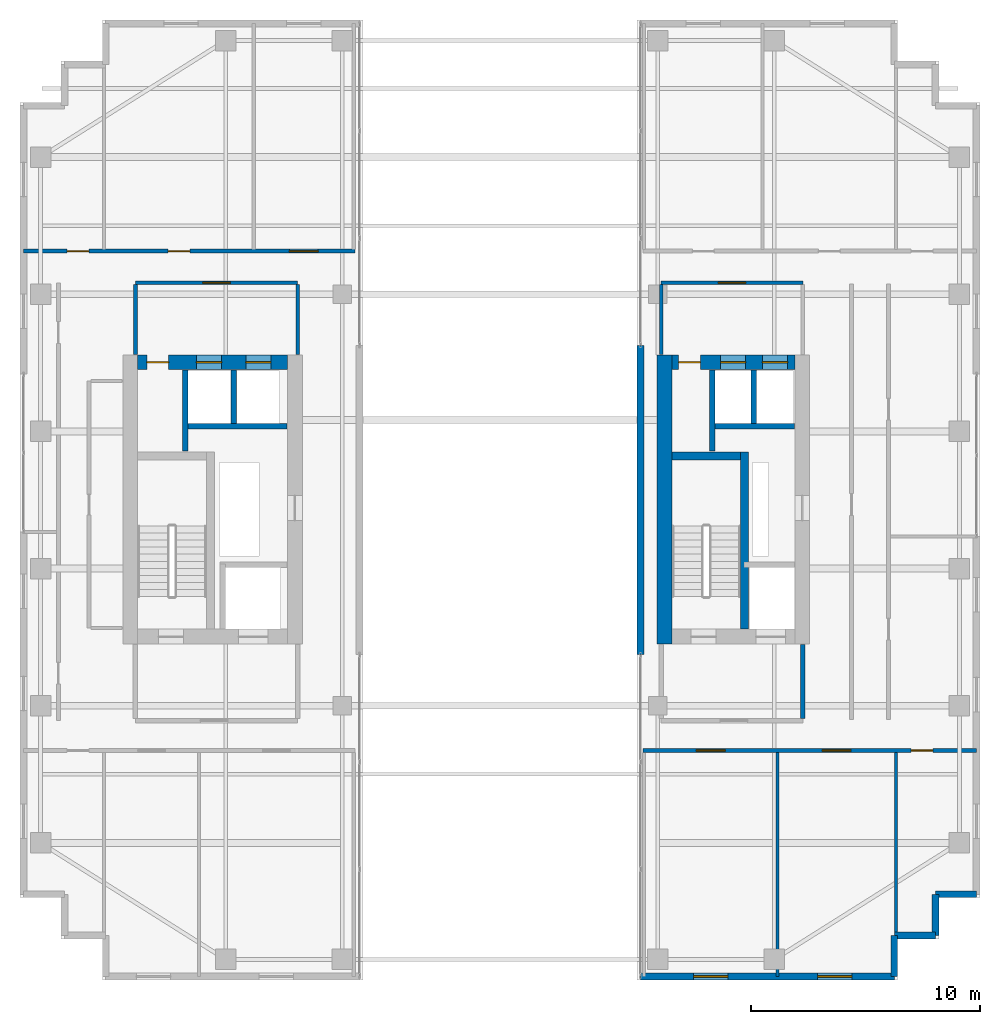
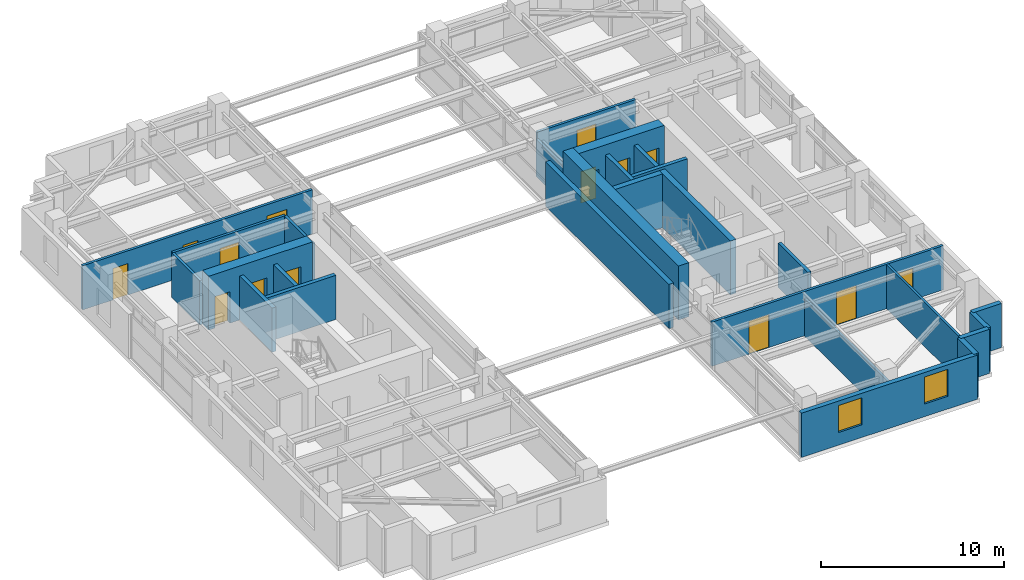
# One storey, part 18 of 21: 27 walls, 14 doors, 2 windows, 16 openings.
"""IFC4 building model written with IfcOpenShell, lengths in metres."""

from ifc_helpers import new_model, si_unit, direction, frame, frame_2d, origin, place, context, subcontext, project, spatial, rectangle, extrude, source, transform, mapped, material, layer, layer_set, type_object, element, fill, save


model = new_model("IFC4")

# Units and contexts
model_context = context("Model", 3, precision=1e-05, world=origin(), true_north=direction((0.0, 1.0)))
body_context = subcontext(model_context, "Body", "Model", "MODEL_VIEW")
ifc_project = project(units=[si_unit("LENGTHUNIT", "METRE"), si_unit("AREAUNIT", "SQUARE_METRE"), si_unit("VOLUMEUNIT", "CUBIC_METRE"), si_unit("PLANEANGLEUNIT", "RADIAN"), si_unit("MASSUNIT", "GRAM", prefix="KILO")], contexts=[model_context])

# Site, building, storey
site_placement = place(None, origin())
site = spatial("IfcSite", under=ifc_project, at=site_placement, CompositionType="ELEMENT")
building_placement = place(site_placement, origin())
building = spatial("IfcBuilding", under=site, at=building_placement, Name="Khoralis Quay Care Tower", CompositionType="ELEMENT")
storey_placement = place(building_placement, frame((0.0, 0.0, 213.300048828125)))
storey = spatial("IfcBuildingStorey", under=building, at=storey_placement, Name="L56", CompositionType="ELEMENT", Elevation=213.300048828125)

# Wall
ifc_material_1 = material(Name="Gypsum plasterboard on acoustic metal stud")
ifc_layer_1 = layer(ifc_material_1, 0.199951171875)
ifc_layer_set_1 = layer_set([ifc_layer_1], Name="Gypsum plasterboard on acoustic metal stud")
wall_type_1 = type_object("IfcWallType", Name="WL-COMP-200", PredefinedType="PARTITIONING", material=ifc_layer_set_1)
wall_1_placement = place(storey_placement, frame((37.25, 11.445068359375, 0.0), z_axis=(0.0, 0.0, 1.0), x_axis=(0.0, 1.0, 0.0)))
element("IfcWall", 1, at=wall_1_placement, inside=storey, type_object=wall_type_1, Name="L56 East Firefighting Lobby East Wall", PredefinedType="PARTITIONING", context=body_context, shape_type="SweptSolid", body=[
    extrude(rectangle(XDim=3.23486328125, YDim=0.199951171875, at=frame_2d((1.617431640625, 0.0))), origin(), (0.0, 0.0, 1.0), 2.949951171875),
])

# Wall, openings, doors
ifc_material_2 = material(Name="Concrete C65/80", Category="concrete")
ifc_layer_2 = layer(ifc_material_2, 0.64990234375)
ifc_layer_set_2 = layer_set([ifc_layer_2], Name="Concrete C65/80")
wall_type_2 = type_object("IfcWallType", Name="WL-CORE-650", PredefinedType="SHEAR", material=ifc_layer_set_2)
wall_2_placement = place(storey_placement, frame((8.14990234375, 27.02490234375, 0.0), z_axis=(0.0, 0.0, 1.0), x_axis=(1.0, 0.0, 0.0)))
wall_2 = element("IfcWall", 2, at=wall_2_placement, inside=storey, type_object=wall_type_2, Name="L56 WCORE North Shear Wall", PredefinedType="SHEAR", context=body_context, shape_type="SweptSolid", body=[
    extrude(rectangle(XDim=6.550048828125, YDim=0.64990234375, at=frame_2d((3.27490234375, 0.0))), origin(), (0.0, 0.0, 1.0), 3.599853515625),
])
opening_1_placement = place(wall_2_placement, frame((0.39990234375, 0.0, 0.0)))
opening_1 = element("IfcOpeningElement", 3, at=opening_1_placement, cuts=wall_2, Name="Opening ID1", PredefinedType="OPENING", context=body_context, shape_type="SweptSolid", body=[
    extrude(rectangle(XDim=0.949951171875, YDim=2.10009765625, at=frame_2d((0.47509765625, 1.050048828125))), frame((0.0, 0.3349609375, 0.0), z_axis=(0.0, -1.0, 0.0), x_axis=(1.0, 0.0, 0.0)), (0.0, 0.0, 1.0), 0.669921875),
])
opening_2_placement = place(wall_2_placement, frame((2.570068359375, 0.0, 0.0)))
opening_2 = element("IfcOpeningElement", 4, at=opening_2_placement, cuts=wall_2, Name="Opening LD1", PredefinedType="OPENING", context=body_context, shape_type="SweptSolid", body=[
    extrude(rectangle(XDim=1.10009765625, YDim=2.199951171875, at=frame_2d((0.550048828125, 1.10009765625))), frame((0.0, 0.3349609375, 0.0), z_axis=(0.0, -1.0, 0.0), x_axis=(1.0, 0.0, 0.0)), (0.0, 0.0, 1.0), 0.669921875),
])
opening_3_placement = place(wall_2_placement, frame((4.72998046875, 0.0, 0.0)))
opening_3 = element("IfcOpeningElement", 5, at=opening_3_placement, cuts=wall_2, Name="Opening LD1", PredefinedType="OPENING", context=body_context, shape_type="SweptSolid", body=[
    extrude(rectangle(XDim=1.10009765625, YDim=2.199951171875, at=frame_2d((0.550048828125, 1.10009765625))), frame((0.0, 0.3349609375, 0.0), z_axis=(0.0, -1.0, 0.0), x_axis=(1.0, 0.0, 0.0)), (0.0, 0.0, 1.0), 0.669921875),
])
ifc_material_3 = material(Name="Brushed stainless steel", Category="steel")
door_type_1 = type_object("IfcDoorType", Name="DR-LIFT-1100X2200", OperationType="SLIDING_TO_LEFT", PredefinedType="DOOR", material=ifc_material_3)
shared_shape_1 = source(origin(), body_context, "Body", "SweptSolid", [
    extrude(rectangle(XDim=1.10009765625, YDim=2.199951171875, at=frame_2d((0.550048828125, 1.10009765625))), frame((0.0, 0.02490234375, 0.0), z_axis=(0.0, -1.0, 0.0), x_axis=(1.0, 0.0, 0.0)), (0.0, 0.0, 1.0), 0.050048828125),
])
door_1_placement = place(opening_2_placement, origin())
door_1 = element("IfcDoor", 6, at=door_1_placement, inside=storey, type_object=door_type_1, Name="L56 Lift PLM1 Landing Door", OperationType="SLIDING_TO_LEFT", OverallHeight=2.199951171875, OverallWidth=1.10009765625, PredefinedType="DOOR", context=body_context, shape_type="MappedRepresentation", body=[
    mapped(shared_shape_1, transform((0.0, 0.0, 0.0), scale=1.0)),
])
fill(opening_2, door_1)
door_2_placement = place(opening_3_placement, origin())
door_2 = element("IfcDoor", 7, at=door_2_placement, inside=storey, type_object=door_type_1, Name="L56 Lift PLH1 Landing Door", OperationType="SLIDING_TO_LEFT", OverallHeight=2.199951171875, OverallWidth=1.10009765625, PredefinedType="DOOR", context=body_context, shape_type="MappedRepresentation", body=[
    mapped(shared_shape_1, transform((0.0, 0.0, 0.0), scale=1.0)),
])
fill(opening_3, door_2)
ifc_material_4 = material(Name="Acoustic hardwood timber", Category="wood")
door_type_2 = type_object("IfcDoorType", Name="DR-ROOM-950X2100", OperationType="NOTDEFINED", PredefinedType="DOOR", material=ifc_material_4)
shared_shape_2 = source(origin(), body_context, "Body", "SweptSolid", [
    extrude(rectangle(XDim=0.949951171875, YDim=2.10009765625, at=frame_2d((0.47509765625, 1.050048828125))), frame((0.0, 0.02490234375, 0.0), z_axis=(0.0, -1.0, 0.0), x_axis=(1.0, 0.0, 0.0)), (0.0, 0.0, 1.0), 0.050048828125),
])
door_3_placement = place(opening_1_placement, frame((0.949951171875, 0.0, 0.0), z_axis=(0.0, 0.0, 1.0), x_axis=(-1.0, 0.0, 0.0)))
door_3 = element("IfcDoor", 8, at=door_3_placement, inside=storey, type_object=door_type_2, Name="L56 Medication Room Door", OperationType="SINGLE_SWING_RIGHT", OverallHeight=2.10009765625, OverallWidth=0.949951171875, PredefinedType="DOOR", context=body_context, shape_type="MappedRepresentation", body=[
    mapped(shared_shape_2, transform((0.0, 0.0, 0.0), scale=1.0)),
])
fill(opening_1, door_3)

# Wall
wall_3_placement = place(storey_placement, frame((31.195068359375, 14.699951171875, 0.0), z_axis=(0.0, 0.0, 1.0), x_axis=(0.0, 1.0, 0.0)))
element("IfcWall", 9, at=wall_3_placement, inside=storey, type_object=wall_type_2, Name="L56 ECORE West Shear Wall", PredefinedType="SHEAR", context=body_context, shape_type="SweptSolid", body=[
    extrude(rectangle(XDim=12.650146484375, YDim=0.64990234375, at=frame_2d((6.3251953125, 0.0))), origin(), (0.0, 0.0, 1.0), 3.599853515625),
])

# Wall, openings, doors
wall_4_placement = place(storey_placement, frame((31.52001953125, 27.02490234375, 0.0), z_axis=(0.0, 0.0, 1.0), x_axis=(1.0, 0.0, 0.0)))
wall_4 = element("IfcWall", 10, at=wall_4_placement, inside=storey, type_object=wall_type_2, Name="L56 ECORE North Shear Wall", PredefinedType="SHEAR", context=body_context, shape_type="SweptSolid", body=[
    extrude(rectangle(XDim=5.3798828125, YDim=0.64990234375, at=frame_2d((2.68994140625, 0.0))), origin(), (0.0, 0.0, 1.0), 3.599853515625),
])
opening_4_placement = place(wall_4_placement, frame((0.300048828125, 0.0, 0.0)))
opening_4 = element("IfcOpeningElement", 11, at=opening_4_placement, cuts=wall_4, Name="Opening ID1", PredefinedType="OPENING", context=body_context, shape_type="SweptSolid", body=[
    extrude(rectangle(XDim=0.949951171875, YDim=2.10009765625, at=frame_2d((0.47509765625, 1.050048828125))), frame((0.0, 0.3349609375, 0.0), z_axis=(0.0, -1.0, 0.0), x_axis=(1.0, 0.0, 0.0)), (0.0, 0.0, 1.0), 0.669921875),
])
opening_5_placement = place(wall_4_placement, frame((2.1298828125, 0.0, 0.0)))
opening_5 = element("IfcOpeningElement", 12, at=opening_5_placement, cuts=wall_4, Name="Opening LD1", PredefinedType="OPENING", context=body_context, shape_type="SweptSolid", body=[
    extrude(rectangle(XDim=1.10009765625, YDim=2.199951171875, at=frame_2d((0.550048828125, 1.10009765625))), frame((0.0, 0.3349609375, 0.0), z_axis=(0.0, -1.0, 0.0), x_axis=(1.0, 0.0, 0.0)), (0.0, 0.0, 1.0), 0.669921875),
])
opening_6_placement = place(wall_4_placement, frame((3.9599609375, 0.0, 0.0)))
opening_6 = element("IfcOpeningElement", 13, at=opening_6_placement, cuts=wall_4, Name="Opening LD1", PredefinedType="OPENING", context=body_context, shape_type="SweptSolid", body=[
    extrude(rectangle(XDim=1.10009765625, YDim=2.199951171875, at=frame_2d((0.550048828125, 1.10009765625))), frame((0.0, 0.3349609375, 0.0), z_axis=(0.0, -1.0, 0.0), x_axis=(1.0, 0.0, 0.0)), (0.0, 0.0, 1.0), 0.669921875),
])
door_4_placement = place(opening_5_placement, origin())
door_4 = element("IfcDoor", 14, at=door_4_placement, inside=storey, type_object=door_type_1, Name="L56 Lift PLM2 Landing Door", OperationType="SLIDING_TO_LEFT", OverallHeight=2.199951171875, OverallWidth=1.10009765625, PredefinedType="DOOR", context=body_context, shape_type="MappedRepresentation", body=[
    mapped(shared_shape_1, transform((0.0, 0.0, 0.0), scale=1.0)),
])
fill(opening_5, door_4)
door_5_placement = place(opening_6_placement, origin())
door_5 = element("IfcDoor", 15, at=door_5_placement, inside=storey, type_object=door_type_1, Name="L56 Lift PLH2 Landing Door", OperationType="SLIDING_TO_LEFT", OverallHeight=2.199951171875, OverallWidth=1.10009765625, PredefinedType="DOOR", context=body_context, shape_type="MappedRepresentation", body=[
    mapped(shared_shape_1, transform((0.0, 0.0, 0.0), scale=1.0)),
])
fill(opening_6, door_5)
door_6_placement = place(opening_4_placement, frame((0.949951171875, 0.0, 0.0), z_axis=(0.0, 0.0, 1.0), x_axis=(-1.0, 0.0, 0.0)))
door_6 = element("IfcDoor", 16, at=door_6_placement, inside=storey, type_object=door_type_2, Name="L56 Nutrition Pantry Door", OperationType="SINGLE_SWING_LEFT", OverallHeight=2.10009765625, OverallWidth=0.949951171875, PredefinedType="DOOR", context=body_context, shape_type="MappedRepresentation", body=[
    mapped(shared_shape_2, transform((0.0, 0.0, 0.0), scale=1.0)),
])
fill(opening_4, door_6)

# Wall, opening, door
ifc_layer_3 = layer(ifc_material_1, 0.1650390625)
ifc_layer_set_3 = layer_set([ifc_layer_3], Name="Gypsum plasterboard on acoustic metal stud")
wall_type_3 = type_object("IfcWallType", Name="WL-CORR-165", PredefinedType="PARTITIONING", material=ifc_layer_set_3)
wall_5_placement = place(storey_placement, frame((8.050048828125, 30.5, 0.0), z_axis=(0.0, 0.0, 1.0), x_axis=(1.0, 0.0, 0.0)))
wall_5 = element("IfcWall", 17, at=wall_5_placement, inside=storey, type_object=wall_type_3, Name="L56 West Lift Lobby North Wall", PredefinedType="PARTITIONING", context=body_context, shape_type="SweptSolid", body=[
    extrude(rectangle(XDim=7.099853515625, YDim=0.1650390625, at=frame_2d((3.5498046875, 0.0))), origin(), (0.0, 0.0, 1.0), 2.949951171875),
])
opening_7_placement = place(wall_5_placement, frame((2.949951171875, 0.0, 0.0)))
opening_7 = element("IfcOpeningElement", 18, at=opening_7_placement, cuts=wall_5, Name="Opening FD1", PredefinedType="OPENING", context=body_context, shape_type="SweptSolid", body=[
    extrude(rectangle(XDim=1.199951171875, YDim=2.199951171875, at=frame_2d((0.60009765625, 1.10009765625))), frame((0.0, 0.092529296875, 0.0), z_axis=(0.0, -1.0, 0.0), x_axis=(1.0, 0.0, 0.0)), (0.0, 0.0, 1.0), 0.18505859375),
])
ifc_material_5 = material(Name="Fire-rated painted steel", Category="steel")
door_type_3 = type_object("IfcDoorType", Name="DR-FFL-1200X2200", OperationType="NOTDEFINED", PredefinedType="DOOR", material=ifc_material_5)
shared_shape_3 = source(origin(), body_context, "Body", "SweptSolid", [
    extrude(rectangle(XDim=1.199951171875, YDim=2.199951171875, at=frame_2d((0.60009765625, 1.10009765625))), frame((0.0, 0.02490234375, 0.0), z_axis=(0.0, -1.0, 0.0), x_axis=(1.0, 0.0, 0.0)), (0.0, 0.0, 1.0), 0.050048828125),
])
door_7_placement = place(opening_7_placement, origin())
door_7 = element("IfcDoor", 19, at=door_7_placement, inside=storey, type_object=door_type_3, Name="L56 West Lift Lobby Double Door", OperationType="DOUBLE_DOOR_SINGLE_SWING", OverallHeight=2.199951171875, OverallWidth=1.199951171875, PredefinedType="DOOR", context=body_context, shape_type="MappedRepresentation", body=[
    mapped(shared_shape_3, transform((0.0, 0.0, 0.0), scale=1.0)),
])
fill(opening_7, door_7)

# Walls
for number, where, z_axis, x_axis, name in (
    (20, (8.050048828125, 27.3701171875, 0.0), (0.0, 0.0, 1.0), (0.0, 1.0, 0.0), "L56 West Lift Lobby West Wall"),
    (21, (15.14990234375, 27.3701171875, 0.0), (0.0, 0.0, 1.0), (0.0, 1.0, 0.0), "L56 West Lift Lobby East Wall"),
):
    element("IfcWall", number, at=place(storey_placement, frame(where, z_axis=z_axis, x_axis=x_axis)), inside=storey, type_object=wall_type_3, Name=name, PredefinedType="PARTITIONING", context=body_context, shape_type="SweptSolid", body=[
        extrude(rectangle(XDim=3.052490234375, YDim=0.1650390625, at=frame_2d((1.5263671875, 0.0))), origin(), (0.0, 0.0, 1.0), 2.949951171875),
    ])

# Wall, opening, door
wall_6_placement = place(storey_placement, frame((31.050048828125, 30.5, 0.0), z_axis=(0.0, 0.0, 1.0), x_axis=(1.0, 0.0, 0.0)))
wall_6 = element("IfcWall", 22, at=wall_6_placement, inside=storey, type_object=wall_type_3, Name="L56 East Lift Lobby North Wall", PredefinedType="PARTITIONING", context=body_context, shape_type="SweptSolid", body=[
    extrude(rectangle(XDim=6.199951171875, YDim=0.1650390625, at=frame_2d((3.10009765625, 0.0))), origin(), (0.0, 0.0, 1.0), 2.949951171875),
])
opening_8_placement = place(wall_6_placement, frame((2.5, 0.0, 0.0)))
opening_8 = element("IfcOpeningElement", 23, at=opening_8_placement, cuts=wall_6, Name="Opening FD1", PredefinedType="OPENING", context=body_context, shape_type="SweptSolid", body=[
    extrude(rectangle(XDim=1.199951171875, YDim=2.199951171875, at=frame_2d((0.60009765625, 1.10009765625))), frame((0.0, 0.092529296875, 0.0), z_axis=(0.0, -1.0, 0.0), x_axis=(1.0, 0.0, 0.0)), (0.0, 0.0, 1.0), 0.18505859375),
])
door_8_placement = place(opening_8_placement, origin())
door_8 = element("IfcDoor", 24, at=door_8_placement, inside=storey, type_object=door_type_3, Name="L56 East Lift Lobby Double Door", OperationType="DOUBLE_DOOR_SINGLE_SWING", OverallHeight=2.199951171875, OverallWidth=1.199951171875, PredefinedType="DOOR", context=body_context, shape_type="MappedRepresentation", body=[
    mapped(shared_shape_3, transform((0.0, 0.0, 0.0), scale=1.0)),
])
fill(opening_8, door_8)

# Wall
wall_7_placement = place(storey_placement, frame((31.050048828125, 27.3701171875, 0.0), z_axis=(0.0, 0.0, 1.0), x_axis=(0.0, 1.0, 0.0)))
element("IfcWall", 25, at=wall_7_placement, inside=storey, type_object=wall_type_3, Name="L56 East Lift Lobby West Wall", PredefinedType="PARTITIONING", context=body_context, shape_type="SweptSolid", body=[
    extrude(rectangle(XDim=3.052490234375, YDim=0.1650390625, at=frame_2d((1.5263671875, 0.0))), origin(), (0.0, 0.0, 1.0), 2.490966796875),
])

# Wall, openings, doors
wall_8_placement = place(storey_placement, frame((3.14501953125, 31.889892578125, 0.0), z_axis=(0.0, 0.0, 1.0), x_axis=(1.0, 0.0, 0.0)))
wall_8 = element("IfcWall", 26, at=wall_8_placement, inside=storey, type_object=wall_type_3, Name="L56 West Wing North Corridor Wall", PredefinedType="PARTITIONING", context=body_context, shape_type="SweptSolid", body=[
    extrude(rectangle(XDim=14.5048828125, YDim=0.1650390625, at=frame_2d((7.25244140625, 0.0))), origin(), (0.0, 0.0, 1.0), 2.949951171875),
])
opening_9_placement = place(wall_8_placement, frame((6.3349609375, 0.0, 0.0)))
opening_9 = element("IfcOpeningElement", 27, at=opening_9_placement, cuts=wall_8, Name="Opening ID1", PredefinedType="OPENING", context=body_context, shape_type="SweptSolid", body=[
    extrude(rectangle(XDim=0.949951171875, YDim=2.10009765625, at=frame_2d((0.47509765625, 1.050048828125))), frame((0.0, 0.092529296875, 0.0), z_axis=(0.0, -1.0, 0.0), x_axis=(1.0, 0.0, 0.0)), (0.0, 0.0, 1.0), 0.18505859375),
])
opening_10_placement = place(wall_8_placement, frame((11.64501953125, 0.0, 0.0)))
opening_10 = element("IfcOpeningElement", 28, at=opening_10_placement, cuts=wall_8, Name="Opening CD1", PredefinedType="OPENING", context=body_context, shape_type="SweptSolid", body=[
    extrude(rectangle(XDim=1.25, YDim=2.199951171875, at=frame_2d((0.625, 1.10009765625))), frame((0.0, 0.092529296875, 0.0), z_axis=(0.0, -1.0, 0.0), x_axis=(1.0, 0.0, 0.0)), (0.0, 0.0, 1.0), 0.18505859375),
])
opening_11_placement = place(wall_8_placement, frame((1.919921875, 0.0, 0.0)))
opening_11 = element("IfcOpeningElement", 29, at=opening_11_placement, cuts=wall_8, Name="Opening ID1", PredefinedType="OPENING", context=body_context, shape_type="SweptSolid", body=[
    extrude(rectangle(XDim=0.949951171875, YDim=2.10009765625, at=frame_2d((0.47509765625, 1.050048828125))), frame((0.0, 0.092529296875, 0.0), z_axis=(0.0, -1.0, 0.0), x_axis=(1.0, 0.0, 0.0)), (0.0, 0.0, 1.0), 0.18505859375),
])
door_type_4 = type_object("IfcDoorType", Name="DR-CARE-1250X2200", OperationType="NOTDEFINED", PredefinedType="DOOR", material=ifc_material_4)
shared_shape_4 = source(origin(), body_context, "Body", "SweptSolid", [
    extrude(rectangle(XDim=1.25, YDim=2.199951171875, at=frame_2d((0.625, 1.10009765625))), frame((0.0, 0.02490234375, 0.0), z_axis=(0.0, -1.0, 0.0), x_axis=(1.0, 0.0, 0.0)), (0.0, 0.0, 1.0), 0.050048828125),
])
door_9_placement = place(opening_10_placement, origin())
door_9 = element("IfcDoor", 30, at=door_9_placement, inside=storey, type_object=door_type_4, Name="L56 Physiotherapy Treatment Clinic Door", OperationType="SINGLE_SWING_RIGHT", OverallHeight=2.199951171875, OverallWidth=1.25, PredefinedType="DOOR", context=body_context, shape_type="MappedRepresentation", body=[
    mapped(shared_shape_4, transform((0.0, 0.0, 0.0), scale=1.0)),
])
fill(opening_10, door_9)
door_10_placement = place(opening_9_placement, origin())
door_10 = element("IfcDoor", 31, at=door_10_placement, inside=storey, type_object=door_type_2, Name="L56 Family Case Conference Room Door", OperationType="SINGLE_SWING_RIGHT", OverallHeight=2.10009765625, OverallWidth=0.949951171875, PredefinedType="DOOR", context=body_context, shape_type="MappedRepresentation", body=[
    mapped(shared_shape_2, transform((0.0, 0.0, 0.0), scale=1.0)),
])
fill(opening_9, door_10)
door_11_placement = place(opening_11_placement, origin())
door_11 = element("IfcDoor", 32, at=door_11_placement, inside=storey, type_object=door_type_2, Name="L56 NW Corner Door", OperationType="SINGLE_SWING_RIGHT", OverallHeight=2.10009765625, OverallWidth=0.949951171875, PredefinedType="DOOR", context=body_context, shape_type="MappedRepresentation", body=[
    mapped(shared_shape_2, transform((0.0, 0.0, 0.0), scale=1.0)),
])
fill(opening_11, door_11)

wall_9_placement = place(storey_placement, frame((30.25, 10.0400390625, 0.0), z_axis=(0.0, 0.0, 1.0), x_axis=(1.0, 0.0, 0.0)))
wall_9 = element("IfcWall", 33, at=wall_9_placement, inside=storey, type_object=wall_type_3, Name="L56 East Wing South Corridor Wall", PredefinedType="PARTITIONING", context=body_context, shape_type="SweptSolid", body=[
    extrude(rectangle(XDim=14.60498046875, YDim=0.1650390625, at=frame_2d((7.302490234375, 0.0))), origin(), (0.0, 0.0, 1.0), 2.949951171875),
])
opening_12_placement = place(wall_9_placement, frame((2.344970703125, 0.0, 0.0)))
opening_12 = element("IfcOpeningElement", 34, at=opening_12_placement, cuts=wall_9, Name="Opening CD1", PredefinedType="OPENING", context=body_context, shape_type="SweptSolid", body=[
    extrude(rectangle(XDim=1.25, YDim=2.199951171875, at=frame_2d((0.625, 1.10009765625))), frame((0.0, 0.092529296875, 0.0), z_axis=(0.0, -1.0, 0.0), x_axis=(1.0, 0.0, 0.0)), (0.0, 0.0, 1.0), 0.18505859375),
])
opening_13_placement = place(wall_9_placement, frame((7.85498046875, 0.0, 0.0)))
opening_13 = element("IfcOpeningElement", 35, at=opening_13_placement, cuts=wall_9, Name="Opening CD1", PredefinedType="OPENING", context=body_context, shape_type="SweptSolid", body=[
    extrude(rectangle(XDim=1.25, YDim=2.199951171875, at=frame_2d((0.625, 1.10009765625))), frame((0.0, 0.092529296875, 0.0), z_axis=(0.0, -1.0, 0.0), x_axis=(1.0, 0.0, 0.0)), (0.0, 0.0, 1.0), 0.18505859375),
])
opening_14_placement = place(wall_9_placement, frame((11.735107421875, 0.0, 0.0)))
opening_14 = element("IfcOpeningElement", 36, at=opening_14_placement, cuts=wall_9, Name="Opening ID1", PredefinedType="OPENING", context=body_context, shape_type="SweptSolid", body=[
    extrude(rectangle(XDim=0.949951171875, YDim=2.10009765625, at=frame_2d((0.47509765625, 1.050048828125))), frame((0.0, 0.092529296875, 0.0), z_axis=(0.0, -1.0, 0.0), x_axis=(1.0, 0.0, 0.0)), (0.0, 0.0, 1.0), 0.18505859375),
])
door_12_placement = place(opening_12_placement, frame((1.25, 0.0, 0.0), z_axis=(0.0, 0.0, 1.0), x_axis=(-1.0, 0.0, 0.0)))
door_12 = element("IfcDoor", 37, at=door_12_placement, inside=storey, type_object=door_type_4, Name="L56 Geriatric Consultation Clinic Door", OperationType="SINGLE_SWING_LEFT", OverallHeight=2.199951171875, OverallWidth=1.25, PredefinedType="DOOR", context=body_context, shape_type="MappedRepresentation", body=[
    mapped(shared_shape_4, transform((0.0, 0.0, 0.0), scale=1.0)),
])
fill(opening_12, door_12)
door_13_placement = place(opening_13_placement, frame((1.25, 0.0, 0.0), z_axis=(0.0, 0.0, 1.0), x_axis=(-1.0, 0.0, 0.0)))
door_13 = element("IfcDoor", 38, at=door_13_placement, inside=storey, type_object=door_type_4, Name="L56 Geriatric Consultation Clinic Door", OperationType="SINGLE_SWING_RIGHT", OverallHeight=2.199951171875, OverallWidth=1.25, PredefinedType="DOOR", context=body_context, shape_type="MappedRepresentation", body=[
    mapped(shared_shape_4, transform((0.0, 0.0, 0.0), scale=1.0)),
])
fill(opening_13, door_13)
door_14_placement = place(opening_14_placement, frame((0.949951171875, 0.0, 0.0), z_axis=(0.0, 0.0, 1.0), x_axis=(-1.0, 0.0, 0.0)))
door_14 = element("IfcDoor", 39, at=door_14_placement, inside=storey, type_object=door_type_2, Name="L56 SE Corner Door", OperationType="SINGLE_SWING_RIGHT", OverallHeight=2.10009765625, OverallWidth=0.949951171875, PredefinedType="DOOR", context=body_context, shape_type="MappedRepresentation", body=[
    mapped(shared_shape_2, transform((0.0, 0.0, 0.0), scale=1.0)),
])
fill(opening_14, door_14)

# Wall, openings, windows
ifc_material_6 = material(Name="Precast concrete C45/55", Category="concrete")
ifc_layer_4 = layer(ifc_material_6, 0.300048828125)
ifc_layer_set_4 = layer_set([ifc_layer_4], Name="Precast concrete C45/55")
wall_type_4 = type_object("IfcWallType", Name="WL-EXT-REF-300", PredefinedType="SOLIDWALL", material=ifc_layer_set_4)
wall_10_placement = place(storey_placement, frame((30.14990234375, 0.14990234375, 0.0), z_axis=(0.0, 0.0, 1.0), x_axis=(1.0, 0.0, 0.0)))
wall_10 = element("IfcWall", 40, at=wall_10_placement, inside=storey, type_object=wall_type_4, Name="L56 External Facade Wall WL-EXT-L56-P2-E0", PredefinedType="SOLIDWALL", context=body_context, shape_type="SweptSolid", body=[
    extrude(rectangle(XDim=11.10009765625, YDim=0.300048828125, at=frame_2d((5.550048828125, 0.0))), origin(), (0.0, 0.0, 1.0), 2.949951171875),
])
opening_15_placement = place(wall_10_placement, frame((2.320068359375, 0.0, 0.85009765625)))
opening_15 = element("IfcOpeningElement", 41, at=opening_15_placement, cuts=wall_10, Name="Opening W3", PredefinedType="OPENING", context=body_context, shape_type="SweptSolid", body=[
    extrude(rectangle(XDim=1.5, YDim=1.800048828125, at=frame_2d((0.75, 0.89990234375))), frame((0.0, 0.16015625, 0.0), z_axis=(0.0, -1.0, 0.0), x_axis=(1.0, 0.0, 0.0)), (0.0, 0.0, 1.0), 0.320068359375),
])
opening_16_placement = place(wall_10_placement, frame((7.7451171875, 0.0, 0.85009765625)))
opening_16 = element("IfcOpeningElement", 42, at=opening_16_placement, cuts=wall_10, Name="Opening W3", PredefinedType="OPENING", context=body_context, shape_type="SweptSolid", body=[
    extrude(rectangle(XDim=1.5, YDim=1.800048828125, at=frame_2d((0.75, 0.89990234375))), frame((0.0, 0.16015625, 0.0), z_axis=(0.0, -1.0, 0.0), x_axis=(1.0, 0.0, 0.0)), (0.0, 0.0, 1.0), 0.320068359375),
])
ifc_material_7 = material(Name="Low-E solar-control double glazing", Category="glass")
window_type = type_object("IfcWindowType", Name="WN-CLIN-1500X1800", PartitioningType="SINGLE_PANEL", PredefinedType="WINDOW", material=ifc_material_7)
shared_shape_5 = source(origin(), body_context, "Body", "SweptSolid", [
    extrude(rectangle(XDim=1.5, YDim=1.800048828125, at=frame_2d((0.75, 0.89990234375))), frame((0.0, 0.030029296875, 0.0), z_axis=(0.0, -1.0, 0.0), x_axis=(1.0, 0.0, 0.0)), (0.0, 0.0, 1.0), 0.06005859375),
])
window_1_placement = place(opening_15_placement, origin())
window_1 = element("IfcWindow", 43, at=window_1_placement, inside=storey, type_object=window_type, Name="WN-L56-P2-E0 Facade Window 01", OverallHeight=1.800048828125, OverallWidth=1.5, PartitioningType="SINGLE_PANEL", PredefinedType="WINDOW", context=body_context, shape_type="MappedRepresentation", body=[
    mapped(shared_shape_5, transform((0.0, 0.0, 0.0), scale=1.0)),
])
fill(opening_15, window_1)
window_2_placement = place(opening_16_placement, origin())
window_2 = element("IfcWindow", 44, at=window_2_placement, inside=storey, type_object=window_type, Name="WN-L56-P2-E0 Facade Window 02", OverallHeight=1.800048828125, OverallWidth=1.5, PartitioningType="SINGLE_PANEL", PredefinedType="WINDOW", context=body_context, shape_type="MappedRepresentation", body=[
    mapped(shared_shape_5, transform((0.0, 0.0, 0.0), scale=1.0)),
])
fill(opening_16, window_2)

# Walls
for number, where, z_axis, x_axis, name in (
    (45, (41.25, 0.14990234375, 0.0), (0.0, 0.0, 1.0), (0.0, 1.0, 0.0), "L56 External Facade Wall WL-EXT-L56-P2-C1"),
    (46, (41.25, 1.949951171875, 0.0), (0.0, 0.0, 1.0), (1.0, 0.0, 0.0), "L56 External Facade Wall WL-EXT-L56-P2-C2"),
    (47, (43.050048828125, 1.949951171875, 0.0), (0.0, 0.0, 1.0), (0.0, 1.0, 0.0), "L56 External Facade Wall WL-EXT-L56-P2-C3"),
    (48, (43.050048828125, 3.75, 0.0), (0.0, 0.0, 1.0), (1.0, 0.0, 0.0), "L56 External Facade Wall WL-EXT-L56-P2-C4"),
):
    element("IfcWall", number, at=place(storey_placement, frame(where, z_axis=z_axis, x_axis=x_axis)), inside=storey, type_object=wall_type_4, Name=name, PredefinedType="SOLIDWALL", context=body_context, shape_type="SweptSolid", body=[
        extrude(rectangle(XDim=1.800048828125, YDim=0.300048828125, at=frame_2d((0.89990234375, 0.0))), origin(), (0.0, 0.0, 1.0), 2.949951171875),
    ])
wall_11_placement = place(storey_placement, frame((30.14990234375, 14.25, 0.0), z_axis=(0.0, 0.0, 1.0), x_axis=(0.0, 1.0, 0.0)))
element("IfcWall", 49, at=wall_11_placement, inside=storey, type_object=wall_type_4, Name="L56 External Facade Wall WL-VP-L56-P2-M", PredefinedType="SOLIDWALL", context=body_context, shape_type="SweptSolid", body=[
    extrude(rectangle(XDim=13.5, YDim=0.300048828125, at=frame_2d((6.75, 0.0))), origin(), (0.0, 0.0, 1.0), 2.949951171875),
])
ifc_material_8 = material(Name="Concrete C40/50", Category="concrete")
ifc_layer_5 = layer(ifc_material_8, 0.35009765625)
ifc_layer_set_5 = layer_set([ifc_layer_5], Name="Concrete C40/50")
wall_type_5 = type_object("IfcWallType", Name="WL-SC-CORE-350", PredefinedType="SHEAR", material=ifc_layer_set_5)
wall_12_placement = place(storey_placement, frame((34.695068359375, 15.35009765625, 0.0), z_axis=(0.0, 0.0, 1.0), x_axis=(0.0, 1.0, 0.0)))
element("IfcWall", 50, at=wall_12_placement, inside=storey, type_object=wall_type_5, Name="L56 Stair ST-T2 Shear Baffle Wall East", PredefinedType="SHEAR", context=body_context, shape_type="SweptSolid", body=[
    extrude(rectangle(XDim=7.75, YDim=0.35009765625, at=frame_2d((3.875, 0.0))), origin(), (0.0, 0.0, 1.0), 3.599853515625),
])
wall_13_placement = place(storey_placement, frame((31.52001953125, 22.925048828125, 0.0), z_axis=(0.0, 0.0, 1.0), x_axis=(1.0, 0.0, 0.0)))
element("IfcWall", 51, at=wall_13_placement, inside=storey, type_object=wall_type_5, Name="L56 Stair ST-T2 Shear Baffle Wall North", PredefinedType="SHEAR", context=body_context, shape_type="SweptSolid", body=[
    extrude(rectangle(XDim=3.0, YDim=0.35009765625, at=frame_2d((1.5, 0.0))), origin(), (0.0, 0.0, 1.0), 3.599853515625),
])
ifc_layer_6 = layer(ifc_material_1, 0.239990234375)
ifc_layer_set_6 = layer_set([ifc_layer_6], Name="Gypsum plasterboard on acoustic metal stud")
wall_type_6 = type_object("IfcWallType", Name="WL-SHAFT-240", PredefinedType="PARTITIONING", material=ifc_layer_set_6)
wall_14_placement = place(storey_placement, frame((10.219970703125, 23.139892578125, 0.0), z_axis=(0.0, 0.0, 1.0), x_axis=(0.0, 1.0, 0.0)))
element("IfcWall", 52, at=wall_14_placement, inside=storey, type_object=wall_type_6, Name="L56 Reclaimed Bay Divider West", PredefinedType="PARTITIONING", context=body_context, shape_type="SweptSolid", body=[
    extrude(rectangle(XDim=3.5400390625, YDim=0.239990234375, at=frame_2d((1.77001953125, 0.0))), origin(), (0.0, 0.0, 1.0), 2.949951171875),
])
wall_15_placement = place(storey_placement, frame((10.3349609375, 24.22998046875, 0.0), z_axis=(0.0, 0.0, 1.0), x_axis=(1.0, 0.0, 0.0)))
element("IfcWall", 53, at=wall_15_placement, inside=storey, type_object=wall_type_6, Name="L56 Active Shaft South Wall West", PredefinedType="PARTITIONING", context=body_context, shape_type="SweptSolid", body=[
    extrude(rectangle(XDim=4.344970703125, YDim=0.239990234375, at=frame_2d((2.17236328125, 0.0))), origin(), (0.0, 0.0, 1.0), 2.949951171875),
])
wall_16_placement = place(storey_placement, frame((12.35009765625, 24.344970703125, 0.0), z_axis=(0.0, 0.0, 1.0), x_axis=(0.0, 1.0, 0.0)))
element("IfcWall", 54, at=wall_16_placement, inside=storey, type_object=wall_type_6, Name="L56 West Shaft Divider 2", PredefinedType="PARTITIONING", context=body_context, shape_type="SweptSolid", body=[
    extrude(rectangle(XDim=2.3349609375, YDim=0.239990234375, at=frame_2d((1.16748046875, 0.0))), origin(), (0.0, 0.0, 1.0), 2.949951171875),
])
wall_17_placement = place(storey_placement, frame((33.2900390625, 23.139892578125, 0.0), z_axis=(0.0, 0.0, 1.0), x_axis=(0.0, 1.0, 0.0)))
element("IfcWall", 55, at=wall_17_placement, inside=storey, type_object=wall_type_6, Name="L56 Reclaimed Bay Divider East", PredefinedType="PARTITIONING", context=body_context, shape_type="SweptSolid", body=[
    extrude(rectangle(XDim=3.5400390625, YDim=0.239990234375, at=frame_2d((1.77001953125, 0.0))), origin(), (0.0, 0.0, 1.0), 2.949951171875),
])
wall_18_placement = place(storey_placement, frame((33.405029296875, 24.22998046875, 0.0), z_axis=(0.0, 0.0, 1.0), x_axis=(1.0, 0.0, 0.0)))
element("IfcWall", 56, at=wall_18_placement, inside=storey, type_object=wall_type_6, Name="L56 Active Shaft South Wall East", PredefinedType="PARTITIONING", context=body_context, shape_type="SweptSolid", body=[
    extrude(rectangle(XDim=3.474853515625, YDim=0.239990234375, at=frame_2d((1.7373046875, 0.0))), origin(), (0.0, 0.0, 1.0), 2.949951171875),
])
wall_19_placement = place(storey_placement, frame((35.110107421875, 24.344970703125, 0.0), z_axis=(0.0, 0.0, 1.0), x_axis=(0.0, 1.0, 0.0)))
element("IfcWall", 57, at=wall_19_placement, inside=storey, type_object=wall_type_6, Name="L56 East Shaft Divider 2", PredefinedType="PARTITIONING", context=body_context, shape_type="SweptSolid", body=[
    extrude(rectangle(XDim=2.3349609375, YDim=0.239990234375, at=frame_2d((1.16748046875, 0.0))), origin(), (0.0, 0.0, 1.0), 2.949951171875),
])
ifc_layer_7 = layer(ifc_material_1, 0.139892578125)
ifc_layer_set_7 = layer_set([ifc_layer_7], Name="Gypsum plasterboard on acoustic metal stud")
wall_type_7 = type_object("IfcWallType", Name="WL-UNIT-140", PredefinedType="PARTITIONING", material=ifc_layer_set_7)
wall_20_placement = place(storey_placement, frame((36.139892578125, 0.14501953125, 0.0), z_axis=(0.0, 0.0, 1.0), x_axis=(0.0, 1.0, 0.0)))
element("IfcWall", 58, at=wall_20_placement, inside=storey, type_object=wall_type_7, Name="L56 ES Demising Wall 1", PredefinedType="PARTITIONING", context=body_context, shape_type="SweptSolid", body=[
    extrude(rectangle(XDim=9.8173828125, YDim=0.139892578125, at=frame_2d((4.90869140625, 0.0))), origin(), (0.0, 0.0, 1.0), 2.490966796875),
])
wall_21_placement = place(storey_placement, frame((41.320068359375, 1.945068359375, 0.0), z_axis=(0.0, 0.0, 1.0), x_axis=(0.0, 1.0, 0.0)))
element("IfcWall", 59, at=wall_21_placement, inside=storey, type_object=wall_type_7, Name="L56 ES Demising Wall 2", PredefinedType="PARTITIONING", context=body_context, shape_type="SweptSolid", body=[
    extrude(rectangle(XDim=8.017333984375, YDim=0.139892578125, at=frame_2d((4.0087890625, 0.0))), origin(), (0.0, 0.0, 1.0), 2.949951171875),
])

save(model, "model.ifc")
